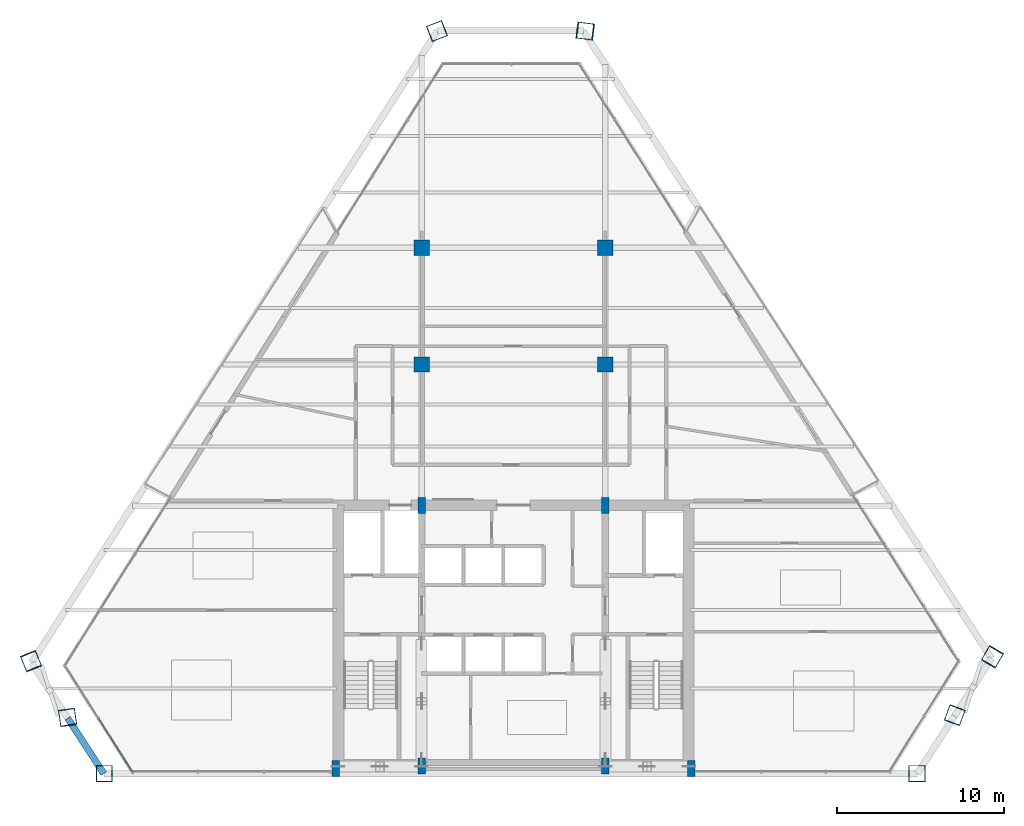
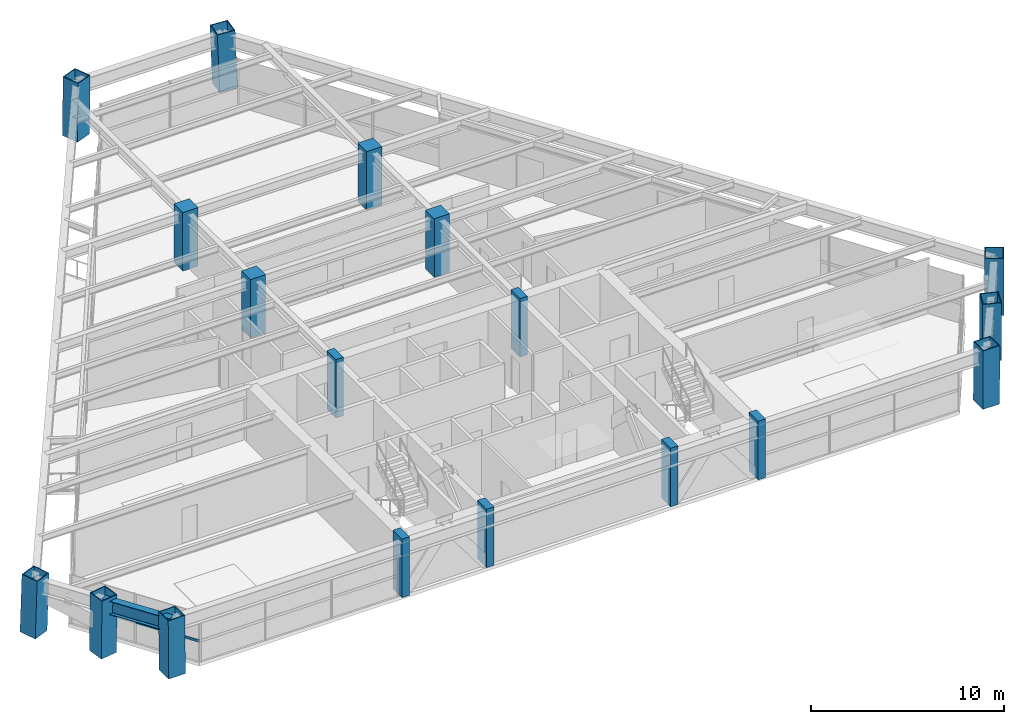
# One storey, part 1 of 15: 18 columns, 1 beam, 1 member, 1 element without a shape of its own.
"""IFC4 building model written with IfcOpenShell, lengths in metres."""

import ifcopenshell
import ifcopenshell.guid

model = None  # the IFC model being written
_history = None  # IfcOwnerHistory: only IFC2X3 demands one
_inside = {}  # id of a spatial element -> (the spatial element, [elements in it])
_under = {}  # id of a project, library or spatial element -> (it, [spatial elements below it])
_declared = {}  # id of a project -> (the project, [libraries it declares])
_typed = {}  # id of a type object -> (the type object, [elements of that type])
_made_of = {}  # id of a material, layer set ... -> (it, [elements and type objects made of it])


def new_model(schema):
    """Start an empty IFC model of exactly this schema.

    Asked for "IFC4X3", IfcOpenShell would pick the latest addendum, in which some entities
    have other attributes; the version numbers below select the first issue.
    IFC2X3 requires an IfcOwnerHistory on every rooted entity: one is made here for all.
    """
    global model, _history
    if schema == "IFC4X3":
        model = ifcopenshell.file(schema_version=(4, 3, 0, 0))
    else:
        model = ifcopenshell.file(schema=schema)
    _inside.clear()
    _under.clear()
    _declared.clear()
    _typed.clear()
    _made_of.clear()
    _history = None
    if model.schema == "IFC2X3":
        org = make("IfcOrganization", Name="unknown")
        user = make(
            "IfcPersonAndOrganization",
            ThePerson=make("IfcPerson", FamilyName="unknown"),
            TheOrganization=org,
        )
        app = make(
            "IfcApplication",
            ApplicationDeveloper=org,
            Version="unknown",
            ApplicationFullName="unknown",
            ApplicationIdentifier="unknown",
        )
        _history = make(
            "IfcOwnerHistory",
            OwningUser=user,
            OwningApplication=app,
            ChangeAction="ADDED",
            CreationDate=0,
        )
    return model


def make(cls, **values):
    """One entity of the class cls with the attributes given. An attribute that is None is left unset."""
    return model.create_entity(
        cls, **{name: value for name, value in values.items() if value is not None}
    )


def rooted(cls, **values):
    """An entity with a GlobalId (a new one), such as an element, a storey or a relation."""
    return make(cls, GlobalId=ifcopenshell.guid.new(), OwnerHistory=_history, **values)


def si_unit(unit_type, name, prefix=None):
    """IfcSIUnit, for example si_unit("LENGTHUNIT", "METRE", prefix="MILLI")."""
    return make("IfcSIUnit", UnitType=unit_type, Prefix=prefix, Name=name)


def assignment(units):
    """IfcUnitAssignment: the units of a project."""
    return None if units is None else make("IfcUnitAssignment", Units=units)


def point(xyz):
    """IfcCartesianPoint."""
    return None if xyz is None else make("IfcCartesianPoint", Coordinates=xyz)


def direction(xyz):
    """IfcDirection."""
    return None if xyz is None else make("IfcDirection", DirectionRatios=xyz)


def frame(location, z_axis=None, x_axis=None):
    """IfcAxis2Placement3D, a coordinate frame: its origin and axes. An axis left out is left unset."""
    return make(
        "IfcAxis2Placement3D",
        Location=point(location),
        Axis=direction(z_axis),
        RefDirection=direction(x_axis),
    )


def frame_2d(location, x_axis=None):
    """IfcAxis2Placement2D, a coordinate frame in the plane: its origin and x axis."""
    return make(
        "IfcAxis2Placement2D", Location=point(location), RefDirection=direction(x_axis)
    )


def origin():
    """The frame at (0, 0, 0) with its axes left unset."""
    return frame((0.0, 0.0, 0.0))


def origin_2d():
    """The frame at (0, 0) in the plane with its x axis left unset."""
    return frame_2d((0.0, 0.0))


def place(relative_to, where):
    """IfcLocalPlacement: puts the frame where relative to a parent placement (None: the world)."""
    return make(
        "IfcLocalPlacement", PlacementRelTo=relative_to, RelativePlacement=where
    )


def context(
    kind, dimensions, precision=None, world=None, true_north=None, identifier=None
):
    """IfcGeometricRepresentationContext, for example the 3D "Model" context."""
    return make(
        "IfcGeometricRepresentationContext",
        ContextIdentifier=identifier,
        ContextType=kind,
        CoordinateSpaceDimension=dimensions,
        Precision=precision,
        WorldCoordinateSystem=world,
        TrueNorth=true_north,
    )


def subcontext(parent, identifier, kind, view, scale=None):
    """IfcGeometricRepresentationSubContext, for example "Body" below "Model"."""
    return make(
        "IfcGeometricRepresentationSubContext",
        ContextIdentifier=identifier,
        ContextType=kind,
        ParentContext=parent,
        TargetScale=scale,
        TargetView=view,
    )


def project(units=None, contexts=None):
    """IfcProject with its units and contexts."""
    return rooted(
        "IfcProject",
        Name="project",
        RepresentationContexts=contexts,
        UnitsInContext=assignment(units),
    )


def spatial(cls, under=None, at=None, **own):
    """A site, building, storey or space (cls), placed at a placement, below another one or the project."""
    s = rooted(cls, ObjectPlacement=at, **own)
    if under is not None:
        _under.setdefault(under.id(), (under, []))[1].append(s)
    return s


def profile(cls, at=None, kind="AREA", **sizes):
    """A parametric profile (cls). Its sizes go by their IFC names, for example OverallWidth=200.0."""
    return make(cls, ProfileType=kind, Position=at, **sizes)


def rectangle(**sizes):
    """IfcRectangleProfileDef."""
    return profile("IfcRectangleProfileDef", **sizes)


def hollow_rectangle(**sizes):
    """IfcRectangleHollowProfileDef."""
    return profile("IfcRectangleHollowProfileDef", **sizes)


def i_section(**sizes):
    """IfcIShapeProfileDef."""
    return profile("IfcIShapeProfileDef", **sizes)


def extrude(swept, where, along, depth):
    """IfcExtrudedAreaSolid: the profile swept, set in the frame where, extruded along a direction by depth."""
    return make(
        "IfcExtrudedAreaSolid",
        SweptArea=swept,
        Position=where,
        ExtrudedDirection=direction(along),
        Depth=depth,
    )


def shape(context_of_items, identifier, shape_type, items):
    """IfcShapeRepresentation: the items that make up one representation, for example the "Body"."""
    return make(
        "IfcShapeRepresentation",
        ContextOfItems=context_of_items,
        RepresentationIdentifier=identifier,
        RepresentationType=shape_type,
        Items=items,
    )


def source(mapping_origin, context_of_items, identifier, shape_type, items):
    """IfcRepresentationMap: a shape defined once, which mapped items show again and again."""
    return make(
        "IfcRepresentationMap",
        MappingOrigin=mapping_origin,
        MappedRepresentation=shape(context_of_items, identifier, shape_type, items),
    )


def transform(
    local_origin,
    x_axis=None,
    y_axis=None,
    z_axis=None,
    scale=None,
    scale2=None,
    scale3=None,
    uniform=True,
):
    """IfcCartesianTransformationOperator3D, or its non-uniform kind. x_axis, y_axis, z_axis: its Axis1, 2, 3."""
    if uniform:
        return make(
            "IfcCartesianTransformationOperator3D",
            Axis1=direction(x_axis),
            Axis2=direction(y_axis),
            LocalOrigin=point(local_origin),
            Scale=scale,
            Axis3=direction(z_axis),
        )
    return make(
        "IfcCartesianTransformationOperator3DnonUniform",
        Axis1=direction(x_axis),
        Axis2=direction(y_axis),
        LocalOrigin=point(local_origin),
        Scale=scale,
        Axis3=direction(z_axis),
        Scale2=scale2,
        Scale3=scale3,
    )


def mapped(mapping_source, mapping_target):
    """IfcMappedItem: shows the shape of a source again, moved by a transform."""
    return make(
        "IfcMappedItem", MappingSource=mapping_source, MappingTarget=mapping_target
    )


def material(Name=None, Category=None):
    """IfcMaterial."""
    return make("IfcMaterial", Name=Name, Category=Category)


def material_profile(
    of_material, cross_section, Name=None, Category=None, Priority=None
):
    """IfcMaterialProfile: a cross section and its material."""
    return make(
        "IfcMaterialProfile",
        Name=Name,
        Material=of_material,
        Profile=cross_section,
        Priority=Priority,
        Category=Category,
    )


def profile_set(profiles, Name=None, composite=None):
    """IfcMaterialProfileSet."""
    return make(
        "IfcMaterialProfileSet",
        Name=Name,
        MaterialProfiles=profiles,
        CompositeProfile=composite,
    )


def made_of(thing, what):
    """Note that an element or type object is made of a material, layer set ...; save() writes the relation."""
    if what is not None:
        _made_of.setdefault(what.id(), (what, []))[1].append(thing)
    return thing


def type_object(cls, material=None, **own):
    """A type object (cls), such as IfcWallType, which elements share."""
    return made_of(rooted(cls, **own), material)


def type_shapes(of_type, sources):
    """Give a type object the sources (RepresentationMaps) that its elements show as mapped items."""
    of_type.RepresentationMaps = sources


def element(
    cls,
    number,
    at=None,
    inside=None,
    cuts=None,
    type_object=None,
    material=None,
    context=None,
    identifier="Body",
    shape_type=None,
    held_by="IfcProductDefinitionShape",
    body=None,
    shapes=None,
    **own,
):
    """One element of the class cls, such as IfcWall. Its Tag is "e" and its number.

    at: its placement. inside: the storey or other place that contains it. cuts: it is an
    opening in that element (IfcRelVoidsElement). A single representation is given by context,
    identifier, shape_type and body (its items); several are given by shapes. held_by: the class
    of the entity that holds the representations. save() writes the other relations.
    """
    e = rooted(cls, Tag="e%d" % number, ObjectPlacement=at, **own)
    if body is not None:
        shapes = [shape(context, identifier, shape_type, body)]
    if shapes is not None:
        e.Representation = make(held_by, Representations=shapes)
    if inside is not None:
        _inside.setdefault(inside.id(), (inside, []))[1].append(e)
    if cuts is not None:
        rooted(
            "IfcRelVoidsElement", RelatingBuildingElement=cuts, RelatedOpeningElement=e
        )
    if type_object is not None:
        _typed.setdefault(type_object.id(), (type_object, []))[1].append(e)
    return made_of(e, material)


def aggregate(whole, parts):
    """IfcRelAggregates: a whole, such as a stair, and the parts it consists of."""
    return rooted("IfcRelAggregates", RelatingObject=whole, RelatedObjects=parts)


def save(model, path):
    """Write the relations noted so far, then the file.

    IfcRelAggregates (storeys below a building ...), IfcRelContainedInSpatialStructure (elements
    in a storey), IfcRelDefinesByType, IfcRelAssociatesMaterial and IfcRelDeclares: one each for
    every whole, place, type object, material and project.
    """
    for whole, parts in _under.values():
        aggregate(whole, parts)
    for where, things in _inside.values():
        rooted(
            "IfcRelContainedInSpatialStructure",
            RelatedElements=things,
            RelatingStructure=where,
        )
    for kind, things in _typed.values():
        rooted("IfcRelDefinesByType", RelatedObjects=things, RelatingType=kind)
    for what, things in _made_of.values():
        rooted("IfcRelAssociatesMaterial", RelatedObjects=things, RelatingMaterial=what)
    for by, libraries in _declared.values():
        rooted("IfcRelDeclares", RelatingContext=by, RelatedDefinitions=libraries)
    model.write(path)


model = new_model("IFC4")

# Units and contexts
model_context = context("Model", 3, precision=1e-05, world=origin(), true_north=direction((0.0, 1.0)))
body_context = subcontext(model_context, "Body", "Model", "MODEL_VIEW")
ifc_project = project(units=[si_unit("LENGTHUNIT", "METRE"), si_unit("AREAUNIT", "SQUARE_METRE"), si_unit("VOLUMEUNIT", "CUBIC_METRE"), si_unit("PLANEANGLEUNIT", "RADIAN"), si_unit("MASSUNIT", "GRAM", prefix="KILO")], contexts=[model_context])

# Site, building, storey
site_placement = place(None, origin())
site = spatial("IfcSite", under=ifc_project, at=site_placement, CompositionType="ELEMENT")
building_placement = place(site_placement, origin())
building = spatial("IfcBuilding", under=site, at=building_placement, Name="Varnakhor Terracotta Tower", CompositionType="ELEMENT")
storey_placement = place(building_placement, frame((0.0, 0.0, 174.699951171875)))
storey = spatial("IfcBuildingStorey", under=building, at=storey_placement, Name="L44", CompositionType="ELEMENT", Elevation=174.699951171875)

# Columns
ifc_material_1 = material(Name="Concrete C50/60", Category="concrete")
ifc_material_profile_1 = material_profile(ifc_material_1, rectangle(XDim=0.449951171875, YDim=0.949951171875, at=origin_2d()), Name="RC PILASTER 950x450")
ifc_profile_set_1 = profile_set([ifc_material_profile_1], Name="Concrete C50/60")
column_type_1 = type_object("IfcColumnType", Name="COL-PIL-950x450", PredefinedType="PILASTER", material=ifc_profile_set_1)
shared_shape_1 = source(origin(), body_context, "Body", "SweptSolid", [
    extrude(rectangle(XDim=0.449951171875, YDim=0.949951171875, at=origin_2d()), origin(), (0.0, 0.0, 1.0), 3.699951171875),
])
for number, where, z_axis, x_axis, name in (
    (1, (-10.64990234375, 0.300048828125, 0.0), (0.0, 0.0, 1.0), (1.0, 0.0, 0.0), "L44 Core Pilaster CP1"),
    (2, (-5.5, 0.449951171875, 0.0), (0.0, 0.0, 1.0), (1.0, 0.0, 0.0), "L44 Core Pilaster CP2"),
    (3, (5.5, 0.449951171875, 0.0), (0.0, 0.0, 1.0), (1.0, 0.0, 0.0), "L44 Core Pilaster CP3"),
    (4, (10.64990234375, 0.300048828125, 0.0), (0.0, 0.0, 1.0), (1.0, 0.0, 0.0), "L44 Core Pilaster CP4"),
    (5, (-5.5, 16.050048828125, 0.0), (0.0, 0.0, 1.0), (1.0, 0.0, 0.0), "L44 Core Pilaster CP5"),
    (6, (5.5, 16.050048828125, 0.0), (0.0, 0.0, 1.0), (1.0, 0.0, 0.0), "L44 Core Pilaster CP6"),
):
    element("IfcColumn", number, at=place(storey_placement, frame(where, z_axis=z_axis, x_axis=x_axis)), inside=storey, type_object=column_type_1, Name=name, PredefinedType="PILASTER", context=body_context, shape_type="MappedRepresentation", body=[
        mapped(shared_shape_1, transform((0.0, 0.0, 0.0), scale=1.0)),
    ])
ifc_material_profile_2 = material_profile(ifc_material_1, rectangle(XDim=0.919921875, YDim=0.919921875, at=origin_2d()), Name="RC 920x920")
ifc_profile_set_2 = profile_set([ifc_material_profile_2], Name="Concrete C50/60")
column_type_2 = type_object("IfcColumnType", Name="COL-RC-920", PredefinedType="COLUMN", material=ifc_profile_set_2)
shared_shape_2 = source(origin(), body_context, "Body", "SweptSolid", [
    extrude(rectangle(XDim=0.919921875, YDim=0.919921875, at=origin_2d()), origin(), (0.0, 0.0, 1.0), 3.699951171875),
])
for number, where, z_axis, x_axis, name in (
    (7, (-5.5, 24.5, 0.0), (0.0, 0.0, 1.0), (1.0, 0.0, 0.0), "L44 Interior Tower Column IC1"),
    (8, (5.5, 24.5, 0.0), (0.0, 0.0, 1.0), (1.0, 0.0, 0.0), "L44 Interior Tower Column IC2"),
    (9, (-5.5, 31.5, 0.0), (0.0, 0.0, 1.0), (1.0, 0.0, 0.0), "L44 Interior Tower Column IC3"),
    (10, (5.5, 31.5, 0.0), (0.0, 0.0, 1.0), (1.0, 0.0, 0.0), "L44 Interior Tower Column IC4"),
):
    element("IfcColumn", number, at=place(storey_placement, frame(where, z_axis=z_axis, x_axis=x_axis)), inside=storey, type_object=column_type_2, Name=name, PredefinedType="COLUMN", context=body_context, shape_type="MappedRepresentation", body=[
        mapped(shared_shape_2, transform((0.0, 0.0, 0.0), scale=1.0)),
    ])
ifc_material_2 = material(Name="Steel S460", Category="steel")
ifc_material_profile_3 = material_profile(ifc_material_2, hollow_rectangle(XDim=1.0, YDim=1.0, WallThickness=0.050048828125, at=origin_2d()), Name="BOX 1000x1000x50")
ifc_profile_set_3 = profile_set([ifc_material_profile_3], Name="Steel S460")
column_type_3 = type_object("IfcColumnType", Name="COL-MEGA-1000", PredefinedType="COLUMN", material=ifc_profile_set_3)
shared_shape_3 = source(origin(), body_context, "Body", "SweptSolid", [
    extrude(hollow_rectangle(XDim=1.0, YDim=1.0, WallThickness=0.050048828125, at=origin_2d()), origin(), (0.0, 0.0, 1.0), 3.69140625),
])
type_shapes(column_type_3, [shared_shape_3])
for number, where, z_axis, x_axis, name in (
    (11, (-24.509033203125, 0.0, 0.00439453125), (-0.008135189482, 0.0, 0.999966908799), (0.0, -1.0, 0.0), "L44 Perimeter Mega-Column M1"),
    (12, (-4.590576171875, 44.4697265625, 0.00439453125), (0.011838450813, 0.004629561771, 0.999919205856), (-0.364203165488, 0.931319523176, 0.0), "L44 Perimeter Mega-Column M6"),
):
    element("IfcColumn", number, at=place(storey_placement, frame(where, z_axis=z_axis, x_axis=x_axis)), inside=storey, type_object=column_type_3, Name=name, PredefinedType="COLUMN", context=body_context, shape_type="MappedRepresentation", body=[
        mapped(shared_shape_3, transform((0.0, 0.0, 0.0), scale=1.0)),
    ])
shared_shape_4 = source(origin(), body_context, "Body", "SweptSolid", [
    extrude(hollow_rectangle(XDim=1.0, YDim=1.0, WallThickness=0.050048828125, at=origin_2d()), origin(), (0.0, 0.0, 1.0), 3.691162109375),
])
column_1_placement = place(storey_placement, frame((24.17236328125, 0.0, 0.00439453125), z_axis=(0.006151084107, 0.0, 0.999981081903), x_axis=(0.0, 1.0, 0.0)))
element("IfcColumn", 13, at=column_1_placement, inside=storey, type_object=column_type_3, Name="L44 Perimeter Mega-Column M2", PredefinedType="COLUMN", context=body_context, shape_type="MappedRepresentation", body=[
    mapped(shared_shape_4, transform((0.0, 0.0, 0.0), scale=1.0)),
])
shared_shape_5 = source(origin(), body_context, "Body", "SweptSolid", [
    extrude(hollow_rectangle(XDim=1.0, YDim=1.0, WallThickness=0.050048828125, at=origin_2d()), origin(), (0.0, 0.0, 1.0), 3.691650390625),
])
for number, where, z_axis, x_axis, name in (
    (14, (26.4326171875, 3.506591796875, 0.00439453125), (-0.005555227606, -0.014813940284, 0.999874835477), (0.936329177569, -0.351123441588, 0.0), "L44 Perimeter Mega-Column M3"),
    (15, (-26.70654296875, 3.37646484375, 0.00439453125), (0.002314679744, -0.015607554842, 0.999875515497), (0.989180946289, 0.146700564068, 0.0), "L44 Perimeter Mega-Column M8"),
):
    element("IfcColumn", number, at=place(storey_placement, frame(where, z_axis=z_axis, x_axis=x_axis)), inside=storey, type_object=column_type_3, Name=name, PredefinedType="COLUMN", context=body_context, shape_type="MappedRepresentation", body=[
        mapped(shared_shape_5, transform((0.0, 0.0, 0.0), scale=1.0)),
    ])
shared_shape_6 = source(origin(), body_context, "Body", "SweptSolid", [
    extrude(hollow_rectangle(XDim=1.0, YDim=1.0, WallThickness=0.050048828125, at=origin_2d()), origin(), (0.0, 0.0, 1.0), 3.693359375),
])
for number, where, z_axis, x_axis, name in (
    (16, (28.693115234375, 7.012939453125, 0.00439453125), (-0.017318987685, -0.029614146881, 0.999411354233), (0.863219289329, -0.504829137956, 0.0), "L44 Perimeter Mega-Column M4"),
    (17, (-28.90380859375, 6.7529296875, 0.00439453125), (0.01275813989, -0.031201254033, 0.999431694321), (0.925609419118, 0.378480122648, 0.0), "L44 Perimeter Mega-Column M7"),
):
    element("IfcColumn", number, at=place(storey_placement, frame(where, z_axis=z_axis, x_axis=x_axis)), inside=storey, type_object=column_type_3, Name=name, PredefinedType="COLUMN", context=body_context, shape_type="MappedRepresentation", body=[
        mapped(shared_shape_6, transform((0.0, 0.0, 0.0), scale=1.0)),
    ])
shared_shape_7 = source(origin(), body_context, "Body", "SweptSolid", [
    extrude(hollow_rectangle(XDim=1.0, YDim=1.0, WallThickness=0.050048828125, at=origin_2d()), origin(), (0.0, 0.0, 1.0), 3.693603515625),
])
column_2_placement = place(storey_placement, frame((4.3173828125, 44.4697265625, 0.00439453125), z_axis=(-0.036947703408, 0.004626724935, 0.999306489836), x_axis=(-0.124253198746, -0.992250544269, 0.0)))
element("IfcColumn", 18, at=column_2_placement, inside=storey, type_object=column_type_3, Name="L44 Perimeter Mega-Column M5", PredefinedType="COLUMN", context=body_context, shape_type="MappedRepresentation", body=[
    mapped(shared_shape_7, transform((0.0, 0.0, 0.0), scale=1.0)),
])

# Beam
ifc_material_3 = material(Name="Steel S355", Category="steel")
ifc_material_profile_4 = material_profile(ifc_material_3, i_section(OverallWidth=0.39990234375, OverallDepth=0.85498046875, WebThickness=0.01806640625, FlangeThickness=0.029052734375, FilletRadius=0.01806640625, at=origin_2d()), Name="W33X201")
ifc_profile_set_4 = profile_set([ifc_material_profile_4], Name="Steel S355")
beam_type = type_object("IfcBeamType", Name="BM-W33X201", PredefinedType="BEAM", material=ifc_profile_set_4)
shared_shape_8 = source(origin(), body_context, "Body", "SweptSolid", [
    extrude(i_section(OverallWidth=0.39990234375, OverallDepth=0.85498046875, WebThickness=0.01806640625, FlangeThickness=0.029052734375, FilletRadius=0.01806640625, at=origin_2d()), origin(), (0.0, 0.0, 1.0), 3.959228515625),
])
beam_placement = place(storey_placement, frame((-26.697998046875, 3.31884765625, 3.04248046875), z_axis=(0.545287420226, -0.838249145149, 0.0), x_axis=(0.838249145149, 0.545287420226, 0.0)))
element("IfcBeam", 19, at=beam_placement, inside=storey, type_object=beam_type, Name="L44 Perimeter Spandrel 8", PredefinedType="BEAM", context=body_context, shape_type="MappedRepresentation", body=[
    mapped(shared_shape_8, transform((0.0, 0.0, 0.0), scale=1.0)),
])

# Curtain wall, member
ifc_material_4 = material(Name="Anodised Aluminium Curtain Wall System", Category="aluminium")
curtain_wall_type = type_object("IfcCurtainWallType", Name="CW-SYS-MID-OFFICE", PredefinedType="NOTDEFINED", material=ifc_material_4)
curtain_wall_placement = place(storey_placement, origin())
curtain_wall = element("IfcCurtainWall", 20, at=curtain_wall_placement, inside=storey, type_object=curtain_wall_type, Name="L44 Facet Curtain Wall 6", PredefinedType="NOTDEFINED")
ifc_material_5 = material(Name="Anodised Aluminium 6063-T6", Category="aluminium")
ifc_material_profile_5 = material_profile(ifc_material_5, rectangle(XDim=0.070068359375, YDim=0.155029296875, at=origin_2d()), Name="ALU TRANSOM 70x155")
ifc_profile_set_5 = profile_set([ifc_material_profile_5], Name="Anodised Aluminium 6063-T6")
member_type = type_object("IfcMemberType", Name="CWT-03", PredefinedType="USERDEFINED", material=ifc_profile_set_5)
shared_shape_9 = source(origin(), body_context, "Body", "SweptSolid", [
    extrude(rectangle(XDim=0.070068359375, YDim=0.155029296875, at=origin_2d()), origin(), (0.0, 0.0, 1.0), 3.80126953125),
])
member_placement = place(storey_placement, frame((-22.802490234375, 0.089599609375, 1.281005859375), z_axis=(-0.535765445514, 0.84436685593, 0.0), x_axis=(-0.84436685593, -0.535765445514, 0.0)))
member = element("IfcMember", 21, at=member_placement, type_object=member_type, Name="L44 Facet Curtain Wall 6 Transom 1", ObjectType="TRANSOM", PredefinedType="USERDEFINED", context=body_context, shape_type="MappedRepresentation", body=[
    mapped(shared_shape_9, transform((0.0, 0.0, 0.0), scale=1.0)),
])
aggregate(curtain_wall, [member])

save(model, "model.ifc")
